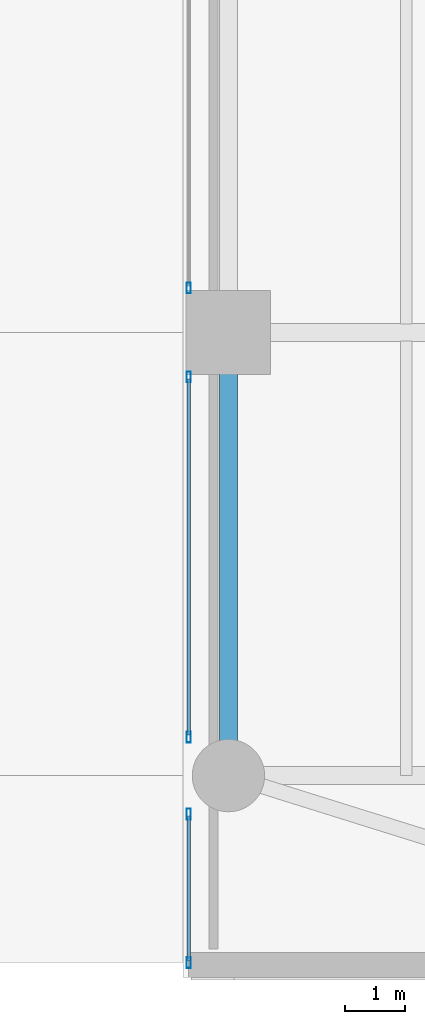
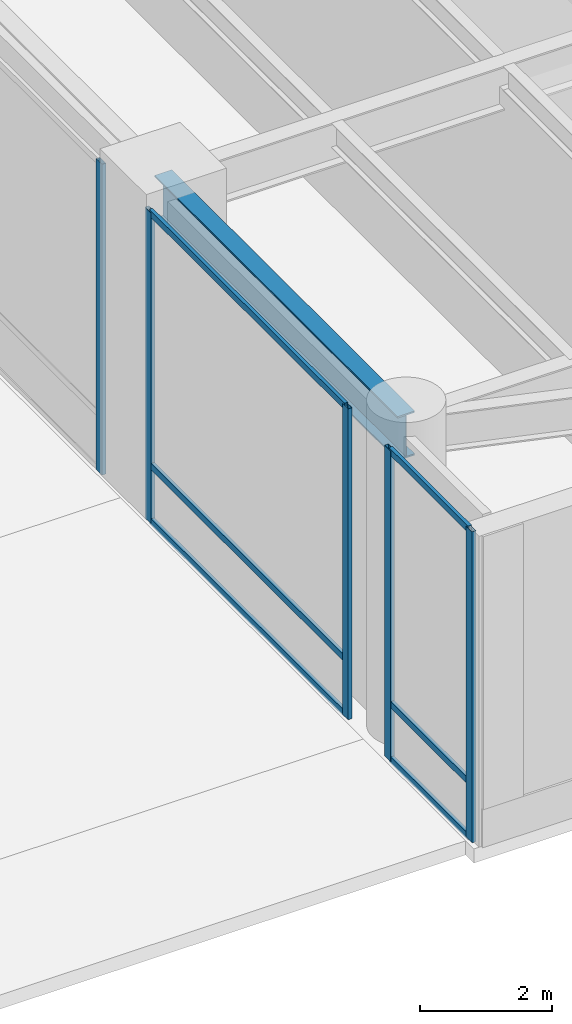
# One storey, part 8 of 28: 11 members, 1 beam, 3 elements without a shape of their own.
"""IFC4 building model written with IfcOpenShell, lengths in metres."""

import ifcopenshell
import ifcopenshell.guid

model = None  # the IFC model being written
_history = None  # IfcOwnerHistory: only IFC2X3 demands one
_inside = {}  # id of a spatial element -> (the spatial element, [elements in it])
_under = {}  # id of a project, library or spatial element -> (it, [spatial elements below it])
_declared = {}  # id of a project -> (the project, [libraries it declares])
_typed = {}  # id of a type object -> (the type object, [elements of that type])
_made_of = {}  # id of a material, layer set ... -> (it, [elements and type objects made of it])


def new_model(schema):
    """Start an empty IFC model of exactly this schema.

    Asked for "IFC4X3", IfcOpenShell would pick the latest addendum, in which some entities
    have other attributes; the version numbers below select the first issue.
    IFC2X3 requires an IfcOwnerHistory on every rooted entity: one is made here for all.
    """
    global model, _history
    if schema == "IFC4X3":
        model = ifcopenshell.file(schema_version=(4, 3, 0, 0))
    else:
        model = ifcopenshell.file(schema=schema)
    _inside.clear()
    _under.clear()
    _declared.clear()
    _typed.clear()
    _made_of.clear()
    _history = None
    if model.schema == "IFC2X3":
        org = make("IfcOrganization", Name="unknown")
        user = make(
            "IfcPersonAndOrganization",
            ThePerson=make("IfcPerson", FamilyName="unknown"),
            TheOrganization=org,
        )
        app = make(
            "IfcApplication",
            ApplicationDeveloper=org,
            Version="unknown",
            ApplicationFullName="unknown",
            ApplicationIdentifier="unknown",
        )
        _history = make(
            "IfcOwnerHistory",
            OwningUser=user,
            OwningApplication=app,
            ChangeAction="ADDED",
            CreationDate=0,
        )
    return model


def make(cls, **values):
    """One entity of the class cls with the attributes given. An attribute that is None is left unset."""
    return model.create_entity(
        cls, **{name: value for name, value in values.items() if value is not None}
    )


def rooted(cls, **values):
    """An entity with a GlobalId (a new one), such as an element, a storey or a relation."""
    return make(cls, GlobalId=ifcopenshell.guid.new(), OwnerHistory=_history, **values)


def si_unit(unit_type, name, prefix=None):
    """IfcSIUnit, for example si_unit("LENGTHUNIT", "METRE", prefix="MILLI")."""
    return make("IfcSIUnit", UnitType=unit_type, Prefix=prefix, Name=name)


def assignment(units):
    """IfcUnitAssignment: the units of a project."""
    return None if units is None else make("IfcUnitAssignment", Units=units)


def point(xyz):
    """IfcCartesianPoint."""
    return None if xyz is None else make("IfcCartesianPoint", Coordinates=xyz)


def direction(xyz):
    """IfcDirection."""
    return None if xyz is None else make("IfcDirection", DirectionRatios=xyz)


def frame(location, z_axis=None, x_axis=None):
    """IfcAxis2Placement3D, a coordinate frame: its origin and axes. An axis left out is left unset."""
    return make(
        "IfcAxis2Placement3D",
        Location=point(location),
        Axis=direction(z_axis),
        RefDirection=direction(x_axis),
    )


def frame_2d(location, x_axis=None):
    """IfcAxis2Placement2D, a coordinate frame in the plane: its origin and x axis."""
    return make(
        "IfcAxis2Placement2D", Location=point(location), RefDirection=direction(x_axis)
    )


def origin():
    """The frame at (0, 0, 0) with its axes left unset."""
    return frame((0.0, 0.0, 0.0))


def origin_2d():
    """The frame at (0, 0) in the plane with its x axis left unset."""
    return frame_2d((0.0, 0.0))


def place(relative_to, where):
    """IfcLocalPlacement: puts the frame where relative to a parent placement (None: the world)."""
    return make(
        "IfcLocalPlacement", PlacementRelTo=relative_to, RelativePlacement=where
    )


def context(
    kind, dimensions, precision=None, world=None, true_north=None, identifier=None
):
    """IfcGeometricRepresentationContext, for example the 3D "Model" context."""
    return make(
        "IfcGeometricRepresentationContext",
        ContextIdentifier=identifier,
        ContextType=kind,
        CoordinateSpaceDimension=dimensions,
        Precision=precision,
        WorldCoordinateSystem=world,
        TrueNorth=true_north,
    )


def subcontext(parent, identifier, kind, view, scale=None):
    """IfcGeometricRepresentationSubContext, for example "Body" below "Model"."""
    return make(
        "IfcGeometricRepresentationSubContext",
        ContextIdentifier=identifier,
        ContextType=kind,
        ParentContext=parent,
        TargetScale=scale,
        TargetView=view,
    )


def project(units=None, contexts=None):
    """IfcProject with its units and contexts."""
    return rooted(
        "IfcProject",
        Name="project",
        RepresentationContexts=contexts,
        UnitsInContext=assignment(units),
    )


def spatial(cls, under=None, at=None, **own):
    """A site, building, storey or space (cls), placed at a placement, below another one or the project."""
    s = rooted(cls, ObjectPlacement=at, **own)
    if under is not None:
        _under.setdefault(under.id(), (under, []))[1].append(s)
    return s


def profile(cls, at=None, kind="AREA", **sizes):
    """A parametric profile (cls). Its sizes go by their IFC names, for example OverallWidth=200.0."""
    return make(cls, ProfileType=kind, Position=at, **sizes)


def hollow_rectangle(**sizes):
    """IfcRectangleHollowProfileDef."""
    return profile("IfcRectangleHollowProfileDef", **sizes)


def i_section(**sizes):
    """IfcIShapeProfileDef."""
    return profile("IfcIShapeProfileDef", **sizes)


def extrude(swept, where, along, depth):
    """IfcExtrudedAreaSolid: the profile swept, set in the frame where, extruded along a direction by depth."""
    return make(
        "IfcExtrudedAreaSolid",
        SweptArea=swept,
        Position=where,
        ExtrudedDirection=direction(along),
        Depth=depth,
    )


def shape(context_of_items, identifier, shape_type, items):
    """IfcShapeRepresentation: the items that make up one representation, for example the "Body"."""
    return make(
        "IfcShapeRepresentation",
        ContextOfItems=context_of_items,
        RepresentationIdentifier=identifier,
        RepresentationType=shape_type,
        Items=items,
    )


def source(mapping_origin, context_of_items, identifier, shape_type, items):
    """IfcRepresentationMap: a shape defined once, which mapped items show again and again."""
    return make(
        "IfcRepresentationMap",
        MappingOrigin=mapping_origin,
        MappedRepresentation=shape(context_of_items, identifier, shape_type, items),
    )


def transform(
    local_origin,
    x_axis=None,
    y_axis=None,
    z_axis=None,
    scale=None,
    scale2=None,
    scale3=None,
    uniform=True,
):
    """IfcCartesianTransformationOperator3D, or its non-uniform kind. x_axis, y_axis, z_axis: its Axis1, 2, 3."""
    if uniform:
        return make(
            "IfcCartesianTransformationOperator3D",
            Axis1=direction(x_axis),
            Axis2=direction(y_axis),
            LocalOrigin=point(local_origin),
            Scale=scale,
            Axis3=direction(z_axis),
        )
    return make(
        "IfcCartesianTransformationOperator3DnonUniform",
        Axis1=direction(x_axis),
        Axis2=direction(y_axis),
        LocalOrigin=point(local_origin),
        Scale=scale,
        Axis3=direction(z_axis),
        Scale2=scale2,
        Scale3=scale3,
    )


def mapped(mapping_source, mapping_target):
    """IfcMappedItem: shows the shape of a source again, moved by a transform."""
    return make(
        "IfcMappedItem", MappingSource=mapping_source, MappingTarget=mapping_target
    )


def material(Name=None, Category=None):
    """IfcMaterial."""
    return make("IfcMaterial", Name=Name, Category=Category)


def layer(
    of_material, thickness, ventilated=None, Name=None, Category=None, Priority=None
):
    """IfcMaterialLayer: one layer of a wall or slab, of a material (None: an air gap)."""
    return make(
        "IfcMaterialLayer",
        Material=of_material,
        LayerThickness=thickness,
        IsVentilated=ventilated,
        Name=Name,
        Category=Category,
        Priority=Priority,
    )


def layer_set(layers, Name=None):
    """IfcMaterialLayerSet."""
    return make("IfcMaterialLayerSet", MaterialLayers=layers, LayerSetName=Name)


def material_profile(
    of_material, cross_section, Name=None, Category=None, Priority=None
):
    """IfcMaterialProfile: a cross section and its material."""
    return make(
        "IfcMaterialProfile",
        Name=Name,
        Material=of_material,
        Profile=cross_section,
        Priority=Priority,
        Category=Category,
    )


def profile_set(profiles, Name=None, composite=None):
    """IfcMaterialProfileSet."""
    return make(
        "IfcMaterialProfileSet",
        Name=Name,
        MaterialProfiles=profiles,
        CompositeProfile=composite,
    )


def made_of(thing, what):
    """Note that an element or type object is made of a material, layer set ...; save() writes the relation."""
    if what is not None:
        _made_of.setdefault(what.id(), (what, []))[1].append(thing)
    return thing


def type_object(cls, material=None, **own):
    """A type object (cls), such as IfcWallType, which elements share."""
    return made_of(rooted(cls, **own), material)


def type_shapes(of_type, sources):
    """Give a type object the sources (RepresentationMaps) that its elements show as mapped items."""
    of_type.RepresentationMaps = sources


def element(
    cls,
    number,
    at=None,
    inside=None,
    cuts=None,
    type_object=None,
    material=None,
    context=None,
    identifier="Body",
    shape_type=None,
    held_by="IfcProductDefinitionShape",
    body=None,
    shapes=None,
    **own,
):
    """One element of the class cls, such as IfcWall. Its Tag is "e" and its number.

    at: its placement. inside: the storey or other place that contains it. cuts: it is an
    opening in that element (IfcRelVoidsElement). A single representation is given by context,
    identifier, shape_type and body (its items); several are given by shapes. held_by: the class
    of the entity that holds the representations. save() writes the other relations.
    """
    e = rooted(cls, Tag="e%d" % number, ObjectPlacement=at, **own)
    if body is not None:
        shapes = [shape(context, identifier, shape_type, body)]
    if shapes is not None:
        e.Representation = make(held_by, Representations=shapes)
    if inside is not None:
        _inside.setdefault(inside.id(), (inside, []))[1].append(e)
    if cuts is not None:
        rooted(
            "IfcRelVoidsElement", RelatingBuildingElement=cuts, RelatedOpeningElement=e
        )
    if type_object is not None:
        _typed.setdefault(type_object.id(), (type_object, []))[1].append(e)
    return made_of(e, material)


def aggregate(whole, parts):
    """IfcRelAggregates: a whole, such as a stair, and the parts it consists of."""
    return rooted("IfcRelAggregates", RelatingObject=whole, RelatedObjects=parts)


def save(model, path):
    """Write the relations noted so far, then the file.

    IfcRelAggregates (storeys below a building ...), IfcRelContainedInSpatialStructure (elements
    in a storey), IfcRelDefinesByType, IfcRelAssociatesMaterial and IfcRelDeclares: one each for
    every whole, place, type object, material and project.
    """
    for whole, parts in _under.values():
        aggregate(whole, parts)
    for where, things in _inside.values():
        rooted(
            "IfcRelContainedInSpatialStructure",
            RelatedElements=things,
            RelatingStructure=where,
        )
    for kind, things in _typed.values():
        rooted("IfcRelDefinesByType", RelatedObjects=things, RelatingType=kind)
    for what, things in _made_of.values():
        rooted("IfcRelAssociatesMaterial", RelatedObjects=things, RelatingMaterial=what)
    for by, libraries in _declared.values():
        rooted("IfcRelDeclares", RelatingContext=by, RelatedDefinitions=libraries)
    model.write(path)


model = new_model("IFC4")

# Units and contexts
model_context = context("Model", 3, precision=1e-05, world=origin(), true_north=direction((0.0, 1.0)))
body_context = subcontext(model_context, "Body", "Model", "MODEL_VIEW")
ifc_project = project(units=[si_unit("LENGTHUNIT", "METRE"), si_unit("AREAUNIT", "SQUARE_METRE"), si_unit("VOLUMEUNIT", "CUBIC_METRE"), si_unit("PLANEANGLEUNIT", "RADIAN"), si_unit("MASSUNIT", "GRAM", prefix="KILO")], contexts=[model_context])

# Site, building, storey
site_placement = place(None, origin())
site = spatial("IfcSite", under=ifc_project, at=site_placement, CompositionType="ELEMENT")
building_placement = place(site_placement, origin())
building = spatial("IfcBuilding", under=site, at=building_placement, Name="Tolvann Quenvar Hotel", CompositionType="ELEMENT")
storey_placement = place(building_placement, origin())
storey = spatial("IfcBuildingStorey", under=building, at=storey_placement, Name="L00", CompositionType="ELEMENT", Elevation=0.0)

# Beam
ifc_material_1 = material(Name="Steel Grade 350", Category="steel")
ifc_material_profile_1 = material_profile(ifc_material_1, i_section(OverallWidth=0.300048828125, OverallDepth=0.81591796875, WebThickness=0.010009765625, FlangeThickness=0.028076171875, at=origin_2d()), Name="800WB192")
ifc_profile_set_1 = profile_set([ifc_material_profile_1], Name="Steel Grade 350")
beam_type = type_object("IfcBeamType", Name="BM_GIRD_800WB192", PredefinedType="BEAM", material=ifc_profile_set_1)
shared_shape_1 = source(origin(), body_context, "Body", "SweptSolid", [
    extrude(i_section(OverallWidth=0.300048828125, OverallDepth=0.81591796875, WebThickness=0.010009765625, FlangeThickness=0.028076171875, at=origin_2d()), origin(), (0.0, 0.0, 1.0), 7.349853515625),
])
type_shapes(beam_type, [shared_shape_1])
beam_placement = place(storey_placement, frame((38.25, 0.85009765625, 5.33203125), z_axis=(0.0, 1.0, 0.0), x_axis=(-1.0, 0.0, 0.0)))
element("IfcBeam", 1, at=beam_placement, inside=storey, type_object=beam_type, Name="BM-L00-NS-APE-0", PredefinedType="BEAM", context=body_context, shape_type="MappedRepresentation", body=[
    mapped(shared_shape_1, transform((0.0, 0.0, 0.0), x_axis=(1.0, 0.0, 0.0), y_axis=(0.0, 1.0, 0.0), z_axis=(0.0, 0.0, 1.0), scale=1.0)),
])

# Curtain wall, member
ifc_material_2 = material(Name="Thermally broken anodised architectural aluminium 6063-T6 and laminated low-E glass", Category="aluminium")
ifc_layer = layer(ifc_material_2, 0.179931640625)
ifc_layer_set = layer_set([ifc_layer], Name="Thermally broken anodised architectural aluminium 6063-T6 and laminated low-E glass")
curtain_wall_type = type_object("IfcCurtainWallType", Name="CW_SYS_ARCH_01", PredefinedType="USERDEFINED", material=ifc_layer_set)
curtain_wall_1_placement = place(storey_placement, origin())
curtain_wall_1 = element("IfcCurtainWall", 2, at=curtain_wall_1_placement, inside=storey, type_object=curtain_wall_type, Name="Curtain Wall CW-ARCH-01 (CWR-L00-E03-S3)", ObjectType="UNITISED CURTAIN WALL", PredefinedType="USERDEFINED")
ifc_material_3 = material(Name="Anodised architectural aluminium 6063-T6 framing", Category="aluminium")
ifc_material_profile_2 = material_profile(ifc_material_3, hollow_rectangle(XDim=0.070068359375, YDim=0.179931640625, WallThickness=0.00390625, at=origin_2d()), Name="180x70x4RHS")
ifc_profile_set_2 = profile_set([ifc_material_profile_2], Name="Anodised architectural aluminium 6063-T6 framing")
member_type_1 = type_object("IfcMemberType", Name="CW_MULL_180x70", PredefinedType="MULLION", material=ifc_profile_set_2)
shared_shape_2 = source(origin(), body_context, "Body", "SweptSolid", [
    extrude(hollow_rectangle(XDim=0.070068359375, YDim=0.179931640625, WallThickness=0.00390625, at=origin_2d()), origin(), (0.0, 0.0, 1.0), 5.739990234375),
])
type_shapes(member_type_1, [shared_shape_2])
member_1_placement = place(storey_placement, frame((37.590087890625, 8.93896484375, 0.0), z_axis=(0.0, 0.0, 1.0), x_axis=(1.0, 0.0, 0.0)))
member_1 = element("IfcMember", 3, at=member_1_placement, type_object=member_type_1, Name="CW-ARCH-01 mullion 2", PredefinedType="MULLION", context=body_context, shape_type="MappedRepresentation", body=[
    mapped(shared_shape_2, transform((0.0, 0.0, 0.0), x_axis=(1.0, 0.0, 0.0), y_axis=(0.0, 1.0, 0.0), z_axis=(0.0, 0.0, 1.0), scale=1.0)),
])
aggregate(curtain_wall_1, [member_1])

# Curtain wall, members
curtain_wall_2_placement = place(storey_placement, origin())
curtain_wall_2 = element("IfcCurtainWall", 4, at=curtain_wall_2_placement, inside=storey, type_object=curtain_wall_type, Name="Curtain Wall CW-ARCH-01 (CWR-L00-E03-S4)", ObjectType="UNITISED CURTAIN WALL", PredefinedType="USERDEFINED")
member_2_placement = place(storey_placement, frame((37.590087890625, 7.4609375, 0.0), z_axis=(0.0, 0.0, 1.0), x_axis=(1.0, 0.0, 0.0)))
member_2 = element("IfcMember", 5, at=member_2_placement, type_object=member_type_1, Name="CW-ARCH-01 mullion 1", PredefinedType="MULLION", context=body_context, shape_type="MappedRepresentation", body=[
    mapped(shared_shape_2, transform((0.0, 0.0, 0.0), x_axis=(1.0, 0.0, 0.0), y_axis=(0.0, 1.0, 0.0), z_axis=(0.0, 0.0, 1.0), scale=1.0)),
])
member_3_placement = place(storey_placement, frame((37.590087890625, 1.489013671875, 0.0), z_axis=(0.0, 0.0, 1.0), x_axis=(1.0, 0.0, 0.0)))
member_3 = element("IfcMember", 6, at=member_3_placement, type_object=member_type_1, Name="CW-ARCH-01 mullion 2", PredefinedType="MULLION", context=body_context, shape_type="MappedRepresentation", body=[
    mapped(shared_shape_2, transform((0.0, 0.0, 0.0), x_axis=(1.0, 0.0, 0.0), y_axis=(0.0, 1.0, 0.0), z_axis=(0.0, 0.0, 1.0), scale=1.0)),
])

curtain_wall_3_placement = place(storey_placement, origin())
curtain_wall_3 = element("IfcCurtainWall", 7, at=curtain_wall_3_placement, inside=storey, type_object=curtain_wall_type, Name="Curtain Wall CW-ARCH-01 (CWR-L00-E03-S5)", ObjectType="UNITISED CURTAIN WALL", PredefinedType="USERDEFINED")
member_4_placement = place(storey_placement, frame((37.590087890625, 0.2109375, 0.0), z_axis=(0.0, 0.0, 1.0), x_axis=(1.0, 0.0, 0.0)))
member_4 = element("IfcMember", 8, at=member_4_placement, type_object=member_type_1, Name="CW-ARCH-01 mullion 1", PredefinedType="MULLION", context=body_context, shape_type="MappedRepresentation", body=[
    mapped(shared_shape_2, transform((0.0, 0.0, 0.0), x_axis=(1.0, 0.0, 0.0), y_axis=(0.0, 1.0, 0.0), z_axis=(0.0, 0.0, 1.0), scale=1.0)),
])
member_5_placement = place(storey_placement, frame((37.590087890625, -2.2548828125, 0.0), z_axis=(0.0, 0.0, 1.0), x_axis=(1.0, 0.0, 0.0)))
member_5 = element("IfcMember", 9, at=member_5_placement, type_object=member_type_1, Name="CW-ARCH-01 mullion 2", PredefinedType="MULLION", context=body_context, shape_type="MappedRepresentation", body=[
    mapped(shared_shape_2, transform((0.0, 0.0, 0.0), x_axis=(1.0, 0.0, 0.0), y_axis=(0.0, 1.0, 0.0), z_axis=(0.0, 0.0, 1.0), scale=1.0)),
])
ifc_material_profile_3 = material_profile(ifc_material_3, hollow_rectangle(XDim=0.06005859375, YDim=0.1201171875, WallThickness=0.00341796875, at=origin_2d()), Name="120x60x3.5RHS")
ifc_profile_set_3 = profile_set([ifc_material_profile_3], Name="Anodised architectural aluminium 6063-T6 framing")
member_type_2 = type_object("IfcMemberType", Name="CW_TRAN_120x60", PredefinedType="USERDEFINED", material=ifc_profile_set_3)
shared_shape_3 = source(origin(), body_context, "Body", "SweptSolid", [
    extrude(hollow_rectangle(XDim=0.06005859375, YDim=0.1201171875, WallThickness=0.00341796875, at=origin_2d()), origin(), (0.0, 0.0, 1.0), 2.39599609375),
])
member_6_placement = place(storey_placement, frame((37.590087890625, 0.176025390625, 0.030029296875), z_axis=(0.0, -1.0, 0.0), x_axis=(1.0, 0.0, 0.0)))
member_6 = element("IfcMember", 10, at=member_6_placement, type_object=member_type_2, Name="CW-ARCH-01 transom 1.1", ObjectType="TRANSOM", PredefinedType="USERDEFINED", context=body_context, shape_type="MappedRepresentation", body=[
    mapped(shared_shape_3, transform((0.0, 0.0, 0.0), x_axis=(1.0, 0.0, 0.0), y_axis=(0.0, 1.0, 0.0), z_axis=(0.0, 0.0, 1.0), scale=1.0)),
])
member_7_placement = place(storey_placement, frame((37.590087890625, 0.176025390625, 1.050048828125), z_axis=(0.0, -1.0, 0.0), x_axis=(1.0, 0.0, 0.0)))
member_7 = element("IfcMember", 11, at=member_7_placement, type_object=member_type_2, Name="CW-ARCH-01 transom 1.2", ObjectType="TRANSOM", PredefinedType="USERDEFINED", context=body_context, shape_type="MappedRepresentation", body=[
    mapped(shared_shape_3, transform((0.0, 0.0, 0.0), x_axis=(1.0, 0.0, 0.0), y_axis=(0.0, 1.0, 0.0), z_axis=(0.0, 0.0, 1.0), scale=1.0)),
])
member_8_placement = place(storey_placement, frame((37.590087890625, 0.176025390625, 5.7099609375), z_axis=(0.0, -1.0, 0.0), x_axis=(1.0, 0.0, 0.0)))
member_8 = element("IfcMember", 12, at=member_8_placement, type_object=member_type_2, Name="CW-ARCH-01 transom 1.3", ObjectType="TRANSOM", PredefinedType="USERDEFINED", context=body_context, shape_type="MappedRepresentation", body=[
    mapped(shared_shape_3, transform((0.0, 0.0, 0.0), x_axis=(1.0, 0.0, 0.0), y_axis=(0.0, 1.0, 0.0), z_axis=(0.0, 0.0, 1.0), scale=1.0)),
])
aggregate(curtain_wall_3, [member_4, member_5, member_6, member_7, member_8])

# Member
shared_shape_4 = source(origin(), body_context, "Body", "SweptSolid", [
    extrude(hollow_rectangle(XDim=0.06005859375, YDim=0.1201171875, WallThickness=0.00341796875, at=origin_2d()), origin(), (0.0, 0.0, 1.0), 5.902099609375),
])
type_shapes(member_type_2, [shared_shape_3, shared_shape_4])
member_9_placement = place(storey_placement, frame((37.590087890625, 7.426025390625, 0.030029296875), z_axis=(0.0, -1.0, 0.0), x_axis=(1.0, 0.0, 0.0)))
member_9 = element("IfcMember", 13, at=member_9_placement, type_object=member_type_2, Name="CW-ARCH-01 transom 1.1", ObjectType="TRANSOM", PredefinedType="USERDEFINED", context=body_context, shape_type="MappedRepresentation", body=[
    mapped(shared_shape_4, transform((0.0, 0.0, 0.0), x_axis=(1.0, 0.0, 0.0), y_axis=(0.0, 1.0, 0.0), z_axis=(0.0, 0.0, 1.0), scale=1.0)),
])

member_10_placement = place(storey_placement, frame((37.590087890625, 7.426025390625, 1.050048828125), z_axis=(0.0, -1.0, 0.0), x_axis=(1.0, 0.0, 0.0)))
member_10 = element("IfcMember", 14, at=member_10_placement, type_object=member_type_2, Name="CW-ARCH-01 transom 1.2", ObjectType="TRANSOM", PredefinedType="USERDEFINED", context=body_context, shape_type="MappedRepresentation", body=[
    mapped(shared_shape_4, transform((0.0, 0.0, 0.0), x_axis=(1.0, 0.0, 0.0), y_axis=(0.0, 1.0, 0.0), z_axis=(0.0, 0.0, 1.0), scale=1.0)),
])

member_11_placement = place(storey_placement, frame((37.590087890625, 7.426025390625, 5.7099609375), z_axis=(0.0, -1.0, 0.0), x_axis=(1.0, 0.0, 0.0)))
member_11 = element("IfcMember", 15, at=member_11_placement, type_object=member_type_2, Name="CW-ARCH-01 transom 1.3", ObjectType="TRANSOM", PredefinedType="USERDEFINED", context=body_context, shape_type="MappedRepresentation", body=[
    mapped(shared_shape_4, transform((0.0, 0.0, 0.0), x_axis=(1.0, 0.0, 0.0), y_axis=(0.0, 1.0, 0.0), z_axis=(0.0, 0.0, 1.0), scale=1.0)),
])

aggregate(curtain_wall_2, [member_2, member_3, member_9, member_10, member_11])

save(model, "model.ifc")
